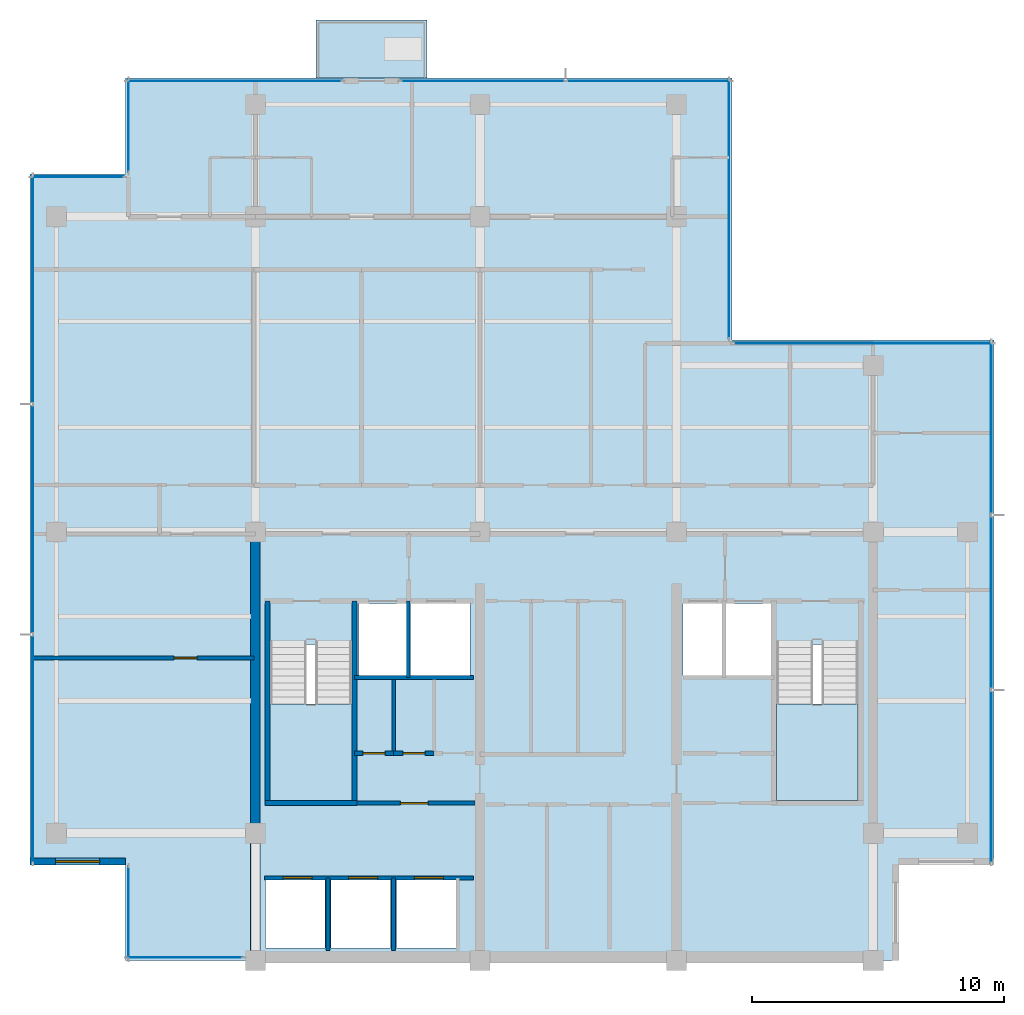
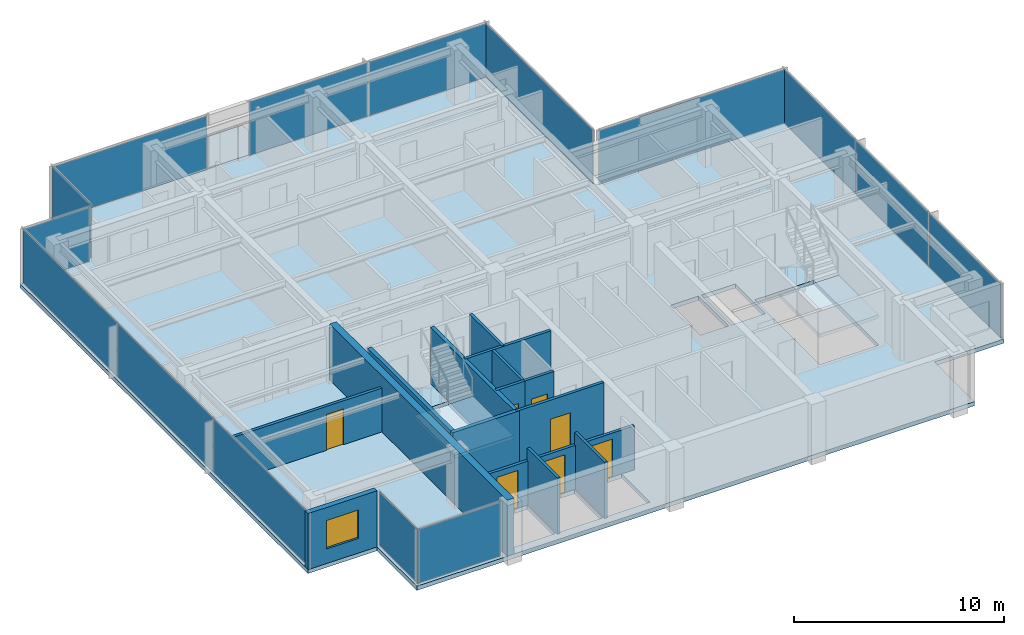
# One storey, part 5 of 11: 15 plates, 15 walls, 7 doors, 4 slabs, 1 window, 8 openings, 12 elements without a shape of their own.
"""IFC4 building model written with IfcOpenShell, lengths in metres."""

from ifc_helpers import new_model, si_unit, direction, frame, frame_2d, origin, origin_2d, place, context, subcontext, project, spatial, polyline, rectangle, outline, extrude, material, layer, layer_set, type_object, element, fill, aggregate, save


model = new_model("IFC4")

# Units and contexts
model_context = context("Model", 3, precision=1e-05, world=origin(), true_north=direction((0.0, 1.0)))
body_context = subcontext(model_context, "Body", "Model", "MODEL_VIEW")
ifc_project = project(units=[si_unit("LENGTHUNIT", "METRE"), si_unit("AREAUNIT", "SQUARE_METRE"), si_unit("VOLUMEUNIT", "CUBIC_METRE"), si_unit("PLANEANGLEUNIT", "RADIAN"), si_unit("MASSUNIT", "GRAM", prefix="KILO")], contexts=[model_context])

# Site, building, storey
site_placement = place(None, origin())
site = spatial("IfcSite", under=ifc_project, at=site_placement, CompositionType="ELEMENT")
building_placement = place(site_placement, origin())
building = spatial("IfcBuilding", under=site, at=building_placement, Name="Qalmaran Belvedere Hotel", CompositionType="ELEMENT")
storey_placement = place(building_placement, frame((0.0, 0.0, 256.39990234375)))
storey = spatial("IfcBuildingStorey", under=building, at=storey_placement, Name="L66", CompositionType="ELEMENT", Elevation=256.39990234375)

# Curtain wall, plate
ifc_material_1 = material(Name="Anodised Bronze Aluminium", Category="aluminium")
ifc_layer_1 = layer(ifc_material_1, 0.18505859375, Name="Anodised Bronze Aluminium")
ifc_layer_set_1 = layer_set([ifc_layer_1], Name="Anodised Bronze Aluminium")
curtain_wall_type = type_object("IfcCurtainWallType", Name="CW6-TOWER-SKY", PredefinedType="NOTDEFINED", material=ifc_layer_set_1)
curtain_wall_1_placement = place(storey_placement, origin())
curtain_wall_1 = element("IfcCurtainWall", 1, at=curtain_wall_1_placement, inside=storey, type_object=curtain_wall_type, Name="L66 Curtain Wall CW6", PredefinedType="NOTDEFINED")
ifc_material_2 = material(Name="Solar-Control Double Glazing", Category="glass")
ifc_layer_2 = layer(ifc_material_2, 0.028076171875, Name="Solar-Control Double Glazing")
ifc_layer_set_2 = layer_set([ifc_layer_2], Name="Solar-Control Double Glazing")
plate_type = type_object("IfcPlateType", Name="CWP-VISION-28", PredefinedType="CURTAIN_PANEL", material=ifc_layer_set_2)
plate_1_placement = place(storey_placement, frame((17.5048828125, 3.6201171875, 0.065185546875), z_axis=(0.0, 0.0, 1.0), x_axis=(1.0, 0.0, 0.0)))
plate_1 = element("IfcPlate", 2, at=plate_1_placement, type_object=plate_type, Name="CW6 panel 1.1", PredefinedType="CURTAIN_PANEL", context=body_context, shape_type="SweptSolid", body=[
    extrude(rectangle(XDim=4.580078125, YDim=0.028076171875, at=origin_2d()), origin(), (0.0, 0.0, 1.0), 3.1298828125),
])
aggregate(curtain_wall_1, [plate_1])

# Curtain wall, plates
curtain_wall_2_placement = place(storey_placement, origin())
curtain_wall_2 = element("IfcCurtainWall", 3, at=curtain_wall_2_placement, inside=storey, type_object=curtain_wall_type, Name="L66 Curtain Wall CW6", PredefinedType="NOTDEFINED")
plate_2_placement = place(storey_placement, frame((49.47998046875, 10.782958984375, 0.065185546875), z_axis=(0.0, 0.0, 1.0), x_axis=(0.0, 1.0, 0.0)))
plate_2 = element("IfcPlate", 4, at=plate_2_placement, type_object=plate_type, Name="CW6 panel 1.1", PredefinedType="CURTAIN_PANEL", context=body_context, shape_type="SweptSolid", body=[
    extrude(rectangle(XDim=6.8359375, YDim=0.028076171875, at=origin_2d()), origin(), (0.0, 0.0, 1.0), 3.1298828125),
])
plate_3_placement = place(storey_placement, frame((49.47998046875, 17.699951171875, 0.065185546875), z_axis=(0.0, 0.0, 1.0), x_axis=(0.0, 1.0, 0.0)))
plate_3 = element("IfcPlate", 5, at=plate_3_placement, type_object=plate_type, Name="CW6 panel 2.1", PredefinedType="CURTAIN_PANEL", context=body_context, shape_type="SweptSolid", body=[
    extrude(rectangle(XDim=6.868408203125, YDim=0.028076171875, at=origin_2d()), origin(), (0.0, 0.0, 1.0), 3.1298828125),
])
plate_4_placement = place(storey_placement, frame((49.47998046875, 24.6171875, 0.065185546875), z_axis=(0.0, 0.0, 1.0), x_axis=(0.0, 1.0, 0.0)))
plate_4 = element("IfcPlate", 6, at=plate_4_placement, type_object=plate_type, Name="CW6 panel 3.1", PredefinedType="CURTAIN_PANEL", context=body_context, shape_type="SweptSolid", body=[
    extrude(rectangle(XDim=6.8359375, YDim=0.028076171875, at=origin_2d()), origin(), (0.0, 0.0, 1.0), 3.1298828125),
])
aggregate(curtain_wall_2, [plate_2, plate_3, plate_4])

# Curtain wall, plate
curtain_wall_3_placement = place(storey_placement, origin())
curtain_wall_3 = element("IfcCurtainWall", 7, at=curtain_wall_3_placement, inside=storey, type_object=curtain_wall_type, Name="L66 Curtain Wall CW6", PredefinedType="NOTDEFINED")
plate_5_placement = place(storey_placement, frame((44.39990234375, 27.97998046875, 0.065185546875), z_axis=(0.0, 0.0, 1.0), x_axis=(-1.0, 0.0, 0.0)))
plate_5 = element("IfcPlate", 8, at=plate_5_placement, type_object=plate_type, Name="CW6 panel 1.1", PredefinedType="CURTAIN_PANEL", context=body_context, shape_type="SweptSolid", body=[
    extrude(rectangle(XDim=10.27001953125, YDim=0.028076171875, at=origin_2d()), origin(), (0.0, 0.0, 1.0), 3.1298828125),
])
aggregate(curtain_wall_3, [plate_5])

curtain_wall_4_placement = place(storey_placement, origin())
curtain_wall_4 = element("IfcCurtainWall", 9, at=curtain_wall_4_placement, inside=storey, type_object=curtain_wall_type, Name="L66 Curtain Wall CW6", PredefinedType="NOTDEFINED")
plate_6_placement = place(storey_placement, frame((39.080078125, 33.300048828125, 0.065185546875), z_axis=(0.0, 0.0, 1.0), x_axis=(0.0, 1.0, 0.0)))
plate_6 = element("IfcPlate", 10, at=plate_6_placement, type_object=plate_type, Name="CW6 panel 1.1", PredefinedType="CURTAIN_PANEL", context=body_context, shape_type="SweptSolid", body=[
    extrude(rectangle(XDim=10.27001953125, YDim=0.028076171875, at=origin_2d()), origin(), (0.0, 0.0, 1.0), 3.1298828125),
])
aggregate(curtain_wall_4, [plate_6])

curtain_wall_5_placement = place(storey_placement, origin())
curtain_wall_5 = element("IfcCurtainWall", 11, at=curtain_wall_5_placement, inside=storey, type_object=curtain_wall_type, Name="L66 Curtain Wall CW6", PredefinedType="NOTDEFINED")
plate_7_placement = place(storey_placement, frame((19.47509765625, 38.3798828125, 0.065185546875), z_axis=(0.0, 0.0, 1.0), x_axis=(-1.0, 0.0, 0.0)))
plate_7 = element("IfcPlate", 12, at=plate_7_placement, type_object=plate_type, Name="CW6 panel 1.1", PredefinedType="CURTAIN_PANEL", context=body_context, shape_type="SweptSolid", body=[
    extrude(rectangle(XDim=8.52001953125, YDim=0.028076171875, at=origin_2d()), origin(), (0.0, 0.0, 1.0), 3.1298828125),
])
aggregate(curtain_wall_5, [plate_7])

# Curtain wall, plates
curtain_wall_6_placement = place(storey_placement, origin())
curtain_wall_6 = element("IfcCurtainWall", 13, at=curtain_wall_6_placement, inside=storey, type_object=curtain_wall_type, Name="L66 Curtain Wall CW6", PredefinedType="NOTDEFINED")
plate_8_placement = place(storey_placement, frame((35.8837890625, 38.3798828125, 0.065185546875), z_axis=(0.0, 0.0, 1.0), x_axis=(-1.0, 0.0, 0.0)))
plate_8 = element("IfcPlate", 14, at=plate_8_placement, type_object=plate_type, Name="CW6 panel 1.1", PredefinedType="CURTAIN_PANEL", context=body_context, shape_type="SweptSolid", body=[
    extrude(rectangle(XDim=6.50244140625, YDim=0.028076171875, at=origin_2d()), origin(), (0.0, 0.0, 1.0), 3.1298828125),
])
plate_9_placement = place(storey_placement, frame((29.316162109375, 38.3798828125, 0.065185546875), z_axis=(0.0, 0.0, 1.0), x_axis=(-1.0, 0.0, 0.0)))
plate_9 = element("IfcPlate", 15, at=plate_9_placement, type_object=plate_type, Name="CW6 panel 2.1", PredefinedType="CURTAIN_PANEL", context=body_context, shape_type="SweptSolid", body=[
    extrude(rectangle(XDim=6.50244140625, YDim=0.028076171875, at=origin_2d()), origin(), (0.0, 0.0, 1.0), 3.1298828125),
])
aggregate(curtain_wall_6, [plate_8, plate_9])

# Curtain wall, plate
curtain_wall_7_placement = place(storey_placement, origin())
curtain_wall_7 = element("IfcCurtainWall", 16, at=curtain_wall_7_placement, inside=storey, type_object=curtain_wall_type, Name="L66 Curtain Wall CW6", PredefinedType="NOTDEFINED")
plate_10_placement = place(storey_placement, frame((15.27001953125, 36.60009765625, 0.065185546875), z_axis=(0.0, 0.0, 1.0), x_axis=(0.0, -1.0, 0.0)))
plate_10 = element("IfcPlate", 17, at=plate_10_placement, type_object=plate_type, Name="CW6 panel 1.1", PredefinedType="CURTAIN_PANEL", context=body_context, shape_type="SweptSolid", body=[
    extrude(rectangle(XDim=3.669921875, YDim=0.028076171875, at=origin_2d()), origin(), (0.0, 0.0, 1.0), 3.1298828125),
])
aggregate(curtain_wall_7, [plate_10])

curtain_wall_8_placement = place(storey_placement, origin())
curtain_wall_8 = element("IfcCurtainWall", 18, at=curtain_wall_8_placement, inside=storey, type_object=curtain_wall_type, Name="L66 Curtain Wall CW6", PredefinedType="NOTDEFINED")
plate_11_placement = place(storey_placement, frame((13.25, 34.580078125, 0.065185546875), z_axis=(0.0, 0.0, 1.0), x_axis=(-1.0, 0.0, 0.0)))
plate_11 = element("IfcPlate", 19, at=plate_11_placement, type_object=plate_type, Name="CW6 panel 1.1", PredefinedType="CURTAIN_PANEL", context=body_context, shape_type="SweptSolid", body=[
    extrude(rectangle(XDim=3.669921875, YDim=0.028076171875, at=origin_2d()), origin(), (0.0, 0.0, 1.0), 3.1298828125),
])
aggregate(curtain_wall_8, [plate_11])

# Curtain wall, plates
curtain_wall_9_placement = place(storey_placement, origin())
curtain_wall_9 = element("IfcCurtainWall", 20, at=curtain_wall_9_placement, inside=storey, type_object=curtain_wall_type, Name="L66 Curtain Wall CW6", PredefinedType="NOTDEFINED")
plate_12_placement = place(storey_placement, frame((11.469970703125, 30.1171875, 0.065185546875), z_axis=(0.0, 0.0, 1.0), x_axis=(0.0, -1.0, 0.0)))
plate_12 = element("IfcPlate", 21, at=plate_12_placement, type_object=plate_type, Name="CW6 panel 1.1", PredefinedType="CURTAIN_PANEL", context=body_context, shape_type="SweptSolid", body=[
    extrude(rectangle(XDim=9.035888671875, YDim=0.028076171875, at=origin_2d()), origin(), (0.0, 0.0, 1.0), 3.1298828125),
])
plate_13_placement = place(storey_placement, frame((11.469970703125, 21.0, 0.065185546875), z_axis=(0.0, 0.0, 1.0), x_axis=(0.0, -1.0, 0.0)))
plate_13 = element("IfcPlate", 22, at=plate_13_placement, type_object=plate_type, Name="CW6 panel 2.1", PredefinedType="CURTAIN_PANEL", context=body_context, shape_type="SweptSolid", body=[
    extrude(rectangle(XDim=9.068359375, YDim=0.028076171875, at=origin_2d()), origin(), (0.0, 0.0, 1.0), 3.1298828125),
])
plate_14_placement = place(storey_placement, frame((11.469970703125, 11.8828125, 0.065185546875), z_axis=(0.0, 0.0, 1.0), x_axis=(0.0, -1.0, 0.0)))
plate_14 = element("IfcPlate", 23, at=plate_14_placement, type_object=plate_type, Name="CW6 panel 3.1", PredefinedType="CURTAIN_PANEL", context=body_context, shape_type="SweptSolid", body=[
    extrude(rectangle(XDim=9.035888671875, YDim=0.028076171875, at=origin_2d()), origin(), (0.0, 0.0, 1.0), 3.1298828125),
])
aggregate(curtain_wall_9, [plate_12, plate_13, plate_14])

# Curtain wall, plate
curtain_wall_10_placement = place(storey_placement, origin())
curtain_wall_10 = element("IfcCurtainWall", 24, at=curtain_wall_10_placement, inside=storey, type_object=curtain_wall_type, Name="L66 Curtain Wall CW6", PredefinedType="NOTDEFINED")
plate_15_placement = place(storey_placement, frame((15.27001953125, 5.39990234375, 0.065185546875), z_axis=(0.0, 0.0, 1.0), x_axis=(0.0, -1.0, 0.0)))
plate_15 = element("IfcPlate", 25, at=plate_15_placement, type_object=plate_type, Name="CW6 panel 1.1", PredefinedType="CURTAIN_PANEL", context=body_context, shape_type="SweptSolid", body=[
    extrude(rectangle(XDim=3.669921875, YDim=0.028076171875, at=origin_2d()), origin(), (0.0, 0.0, 1.0), 3.1298828125),
])
aggregate(curtain_wall_10, [plate_15])

# Slab
ifc_material_3 = material(Name="Concrete C40/50", Category="concrete")
ifc_layer_3 = layer(ifc_material_3, 0.219970703125, Name="Concrete C40/50")
ifc_layer_set_3 = layer_set([ifc_layer_3], Name="Concrete C40/50")
slab_type_1 = type_object("IfcSlabType", Name="SLB-BAL-220", PredefinedType="USERDEFINED", material=ifc_layer_set_3)
slab_1_placement = place(storey_placement, frame((0.0, 0.0, -0.219970703125)))
element("IfcSlab", 26, at=slab_1_placement, inside=storey, type_object=slab_type_1, Name="L66 Planted Tree Balcony Slab 1", ObjectType="BALCONY", PredefinedType="USERDEFINED", context=body_context, shape_type="SweptSolid", body=[
    extrude(outline(polyline([(22.699951171875, 38.5), (27.10009765625, 38.5), (27.10009765625, 40.800048828125), (22.699951171875, 40.800048828125), (22.699951171875, 38.5)])), origin(), (0.0, 0.0, 1.0), 0.219970703125),
])

# Stair, slab
stair_type_1 = type_object("IfcStairType", Name="STR-ST-1-1450-R1750", PredefinedType="HALF_TURN_STAIR", material=ifc_material_3)
stair_1_placement = place(storey_placement, origin())
stair_1 = element("IfcStair", 27, at=stair_1_placement, inside=storey, type_object=stair_type_1, Name="L66 West Core Exit Stair ST-1", PredefinedType="HALF_TURN_STAIR")
ifc_layer_4 = layer(ifc_material_3, 0.199951171875, Name="Concrete C40/50")
ifc_layer_set_4 = layer_set([ifc_layer_4], Name="Concrete C40/50")
slab_type_2 = type_object("IfcSlabType", Name="SLB-STAIR-LANDING-200", PredefinedType="LANDING", material=ifc_layer_set_4)
slab_2_placement = place(storey_placement, frame((0.0, 0.0, 1.550048828125)))
slab_2 = element("IfcSlab", 28, at=slab_2_placement, type_object=slab_type_2, Name="ST-1 landing 1", PredefinedType="LANDING", context=body_context, shape_type="SweptSolid", body=[
    extrude(outline(polyline([(20.8798828125, 13.669921875), (20.8798828125, 9.85009765625), (24.1201171875, 9.85009765625), (24.1201171875, 13.669921875), (20.8798828125, 13.669921875)])), origin(), (0.0, 0.0, 1.0), 0.199951171875),
])
aggregate(stair_1, [slab_2])

stair_type_2 = type_object("IfcStairType", Name="STR-ST-2-1450-R1750", PredefinedType="HALF_TURN_STAIR", material=ifc_material_3)
stair_2_placement = place(storey_placement, origin())
stair_2 = element("IfcStair", 29, at=stair_2_placement, inside=storey, type_object=stair_type_2, Name="L66 East Core Exit Stair ST-2", PredefinedType="HALF_TURN_STAIR")
slab_3_placement = place(storey_placement, frame((0.0, 0.0, 1.550048828125)))
slab_3 = element("IfcSlab", 30, at=slab_3_placement, type_object=slab_type_2, Name="ST-2 landing 1", PredefinedType="LANDING", context=body_context, shape_type="SweptSolid", body=[
    extrude(outline(polyline([(40.9599609375, 13.669921875), (40.9599609375, 9.85009765625), (44.199951171875, 9.85009765625), (44.199951171875, 13.669921875), (40.9599609375, 13.669921875)])), origin(), (0.0, 0.0, 1.0), 0.199951171875),
])
aggregate(stair_2, [slab_3])

# Slab
ifc_layer_5 = layer(ifc_material_3, 0.239990234375, Name="Concrete C40/50")
ifc_layer_set_5 = layer_set([ifc_layer_5], Name="Concrete C40/50")
slab_type_3 = type_object("IfcSlabType", Name="SLB-Z4-240", PredefinedType="FLOOR", material=ifc_layer_set_5)
slab_4_placement = place(storey_placement, frame((0.0, 0.0, -0.239990234375)))
element("IfcSlab", 31, at=slab_4_placement, inside=storey, type_object=slab_type_3, Name="L66 Structural Floor Slab", PredefinedType="FLOOR", context=body_context, shape_type="SweptSolid", body=[
    extrude(outline(polyline([(15.14990234375, 3.5), (45.800048828125, 3.5), (45.800048828125, 7.300048828125), (49.60009765625, 7.300048828125), (49.60009765625, 28.10009765625), (39.199951171875, 28.10009765625), (39.199951171875, 38.5), (15.14990234375, 38.5), (15.14990234375, 34.699951171875), (11.35009765625, 34.699951171875), (11.35009765625, 7.300048828125), (15.14990234375, 7.300048828125), (15.14990234375, 3.5)]), holes=[polyline([(20.8798828125, 9.85009765625), (24.1201171875, 9.85009765625), (24.1201171875, 16.0400390625), (20.8798828125, 16.0400390625), (20.8798828125, 9.85009765625)]), polyline([(40.9599609375, 9.85009765625), (44.199951171875, 9.85009765625), (44.199951171875, 16.0400390625), (40.9599609375, 16.0400390625), (40.9599609375, 9.85009765625)]), polyline([(20.699951171875, 4.0), (23.050048828125, 4.0), (23.050048828125, 6.699951171875), (20.699951171875, 6.699951171875), (20.699951171875, 4.0)]), polyline([(23.300048828125, 4.0), (25.64990234375, 4.0), (25.64990234375, 6.699951171875), (23.300048828125, 6.699951171875), (23.300048828125, 4.0)]), polyline([(25.89990234375, 4.0), (28.25, 4.0), (28.25, 6.699951171875), (25.89990234375, 6.699951171875), (25.89990234375, 4.0)]), polyline([(24.39990234375, 14.800048828125), (26.300048828125, 14.800048828125), (26.300048828125, 17.64990234375), (24.39990234375, 17.64990234375), (24.39990234375, 14.800048828125)]), polyline([(38.949951171875, 14.800048828125), (40.820068359375, 14.800048828125), (40.820068359375, 17.64990234375), (38.949951171875, 17.64990234375), (38.949951171875, 14.800048828125)]), polyline([(26.449951171875, 14.800048828125), (28.800048828125, 14.800048828125), (28.800048828125, 17.64990234375), (26.449951171875, 17.64990234375), (26.449951171875, 14.800048828125)]), polyline([(37.25, 14.800048828125), (38.800048828125, 14.800048828125), (38.800048828125, 17.64990234375), (37.25, 17.64990234375), (37.25, 14.800048828125)])]), origin(), (0.0, 0.0, 1.0), 0.239990234375),
])

# Wall
ifc_material_4 = material(Name="Concrete C50/60", Category="concrete")
ifc_layer_6 = layer(ifc_material_4, 0.3798828125, Name="Concrete C50/60")
ifc_layer_set_6 = layer_set([ifc_layer_6], Name="Concrete C50/60")
wall_type_1 = type_object("IfcWallType", Name="WL-CORE-380-C50", PredefinedType="SHEAR", material=ifc_layer_set_6)
wall_1_placement = place(storey_placement, frame((20.300048828125, 3.5, 0.0), z_axis=(0.0, 0.0, 1.0), x_axis=(0.0, 1.0, 0.0)))
element("IfcWall", 32, at=wall_1_placement, inside=storey, type_object=wall_type_1, Name="L66 West Core Shear Wall", PredefinedType="SHEAR", context=body_context, shape_type="SweptSolid", body=[
    extrude(rectangle(XDim=16.89990234375, YDim=0.3798828125, at=frame_2d((8.449951171875, 0.0))), origin(), (0.0, 0.0, 1.0), 3.260009765625),
])

# Wall, opening, window
ifc_material_5 = material(Name="Anodised Bronze Cladding")
ifc_layer_7 = layer(ifc_material_5, 0.280029296875, Name="Anodised Bronze Cladding")
ifc_layer_set_7 = layer_set([ifc_layer_7], Name="Anodised Bronze Cladding")
wall_type_2 = type_object("IfcWallType", Name="WL-EXT-BRNZ-280", PredefinedType="SOLIDWALL", material=ifc_layer_set_7)
wall_2_placement = place(storey_placement, frame((11.35009765625, 7.419921875, 0.0), z_axis=(0.0, 0.0, 1.0), x_axis=(1.0, 0.0, 0.0)))
wall_2 = element("IfcWall", 33, at=wall_2_placement, inside=storey, type_object=wall_type_2, Name="L66 Corner Notch Wall 10", PredefinedType="SOLIDWALL", context=body_context, shape_type="SweptSolid", body=[
    extrude(rectangle(XDim=3.7998046875, YDim=0.280029296875, at=frame_2d((1.89990234375, 0.0))), origin(), (0.0, 0.0, 1.0), 3.260009765625),
])
opening_1_placement = place(wall_2_placement, frame((1.02490234375, 0.0, 0.85009765625)))
opening_1 = element("IfcOpeningElement", 34, at=opening_1_placement, cuts=wall_2, Name="Opening W-N17", PredefinedType="OPENING", context=body_context, shape_type="SweptSolid", body=[
    extrude(rectangle(XDim=1.75, YDim=1.64990234375, at=frame_2d((0.875, 0.824951171875))), frame((0.0, 0.14990234375, 0.0), z_axis=(0.0, -1.0, 0.0), x_axis=(1.0, 0.0, 0.0)), (0.0, 0.0, 1.0), 0.300048828125),
])
window_type = type_object("IfcWindowType", Name="WN-NTC-1750X1650", PartitioningType="SINGLE_PANEL", PredefinedType="WINDOW", material=ifc_material_2)
window_placement = place(opening_1_placement, origin())
window = element("IfcWindow", 35, at=window_placement, inside=storey, type_object=window_type, Name="L66 Corner Notch Window 10", OverallHeight=1.64990234375, OverallWidth=1.75, PartitioningType="SINGLE_PANEL", PredefinedType="WINDOW", context=body_context, shape_type="SweptSolid", body=[
    extrude(rectangle(XDim=1.75, YDim=1.64990234375, at=frame_2d((0.875, 0.824951171875))), frame((0.0, 0.030029296875, 0.0), z_axis=(0.0, -1.0, 0.0), x_axis=(1.0, 0.0, 0.0)), (0.0, 0.0, 1.0), 0.06005859375),
])
fill(opening_1, window)

# Walls
ifc_material_6 = material(Name="Gypsum Stud Partition")
ifc_layer_8 = layer(ifc_material_6, 0.14990234375, Name="Gypsum Stud Partition")
ifc_layer_set_8 = layer_set([ifc_layer_8], Name="Gypsum Stud Partition")
wall_type_3 = type_object("IfcWallType", Name="WL-INT-150-EI120", PredefinedType="PARTITIONING", material=ifc_layer_set_8)
wall_3_placement = place(storey_placement, frame((26.360107421875, 14.719970703125, 0.0), z_axis=(0.0, 0.0, 1.0), x_axis=(0.0, 1.0, 0.0)))
element("IfcWall", 36, at=wall_3_placement, inside=storey, type_object=wall_type_3, Name="L66 Partition WL-FF1M-L66", PredefinedType="PARTITIONING", context=body_context, shape_type="SweptSolid", body=[
    extrude(rectangle(XDim=3.0400390625, YDim=0.14990234375, at=frame_2d((1.52001953125, 0.0))), origin(), (0.0, 0.0, 1.0), 3.260009765625),
])
for number, where, z_axis, x_axis, name in (
    (37, (23.179931640625, 3.89990234375, 0.0), (0.0, 0.0, 1.0), (0.0, 1.0, 0.0), "L66 Partition WL-POM1-L66"),
    (38, (25.780029296875, 3.89990234375, 0.0), (0.0, 0.0, 1.0), (0.0, 1.0, 0.0), "L66 Partition WL-POM2-L66"),
):
    element("IfcWall", number, at=place(storey_placement, frame(where, z_axis=z_axis, x_axis=x_axis)), inside=storey, type_object=wall_type_3, Name=name, PredefinedType="PARTITIONING", context=body_context, shape_type="SweptSolid", body=[
        extrude(rectangle(XDim=2.880126953125, YDim=0.14990234375, at=frame_2d((1.43994140625, 0.0))), origin(), (0.0, 0.0, 1.0), 3.260009765625),
    ])
ifc_layer_9 = layer(ifc_material_6, 0.14990234375, Name="Gypsum Stud Partition")
ifc_layer_set_9 = layer_set([ifc_layer_9], Name="Gypsum Stud Partition")
wall_type_4 = type_object("IfcWallType", Name="WL-INT-150-EI60", PredefinedType="PARTITIONING", material=ifc_layer_set_9)
wall_4_placement = place(storey_placement, frame((25.781005859375, 11.719970703125, 0.0), z_axis=(0.0, 0.0, 1.0), x_axis=(0.0, 1.0, 0.0)))
element("IfcWall", 39, at=wall_4_placement, inside=storey, type_object=wall_type_4, Name="L66 Partition WL-L66-KWV1", PredefinedType="PARTITIONING", context=body_context, shape_type="SweptSolid", body=[
    extrude(rectangle(XDim=2.929931640625, YDim=0.14990234375, at=frame_2d((1.46484375, 0.0))), origin(), (0.0, 0.0, 1.0), 3.260009765625),
])
ifc_layer_10 = layer(ifc_material_6, 0.159912109375, Name="Gypsum Stud Partition")
ifc_layer_set_10 = layer_set([ifc_layer_10], Name="Gypsum Stud Partition")
wall_type_5 = type_object("IfcWallType", Name="WL-INT-160-EI120", PredefinedType="PARTITIONING", material=ifc_layer_set_10)
wall_5_placement = place(storey_placement, frame((24.219970703125, 14.719970703125, 0.0), z_axis=(0.0, 0.0, 1.0), x_axis=(1.0, 0.0, 0.0)))
element("IfcWall", 40, at=wall_5_placement, inside=storey, type_object=wall_type_5, Name="L66 Partition WL-FF1S-L66", PredefinedType="PARTITIONING", context=body_context, shape_type="SweptSolid", body=[
    extrude(rectangle(XDim=4.72998046875, YDim=0.159912109375, at=frame_2d((2.364990234375, 0.0))), origin(), (0.0, 0.0, 1.0), 3.260009765625),
])

# Wall, openings, doors
wall_6_placement = place(storey_placement, frame((20.64990234375, 6.780029296875, 0.0), z_axis=(0.0, 0.0, 1.0), x_axis=(1.0, 0.0, 0.0)))
wall_6 = element("IfcWall", 41, at=wall_6_placement, inside=storey, type_object=wall_type_5, Name="L66 Partition WL-POS-L66", PredefinedType="PARTITIONING", context=body_context, shape_type="SweptSolid", body=[
    extrude(rectangle(XDim=8.300048828125, YDim=0.159912109375, at=frame_2d((4.14990234375, 0.0))), origin(), (0.0, 0.0, 1.0), 2.550048828125),
])
opening_2_placement = place(wall_6_placement, frame((0.75, 0.0, 0.0)))
opening_2 = element("IfcOpeningElement", 42, at=opening_2_placement, cuts=wall_6, Name="Opening LD-PO", PredefinedType="OPENING", context=body_context, shape_type="SweptSolid", body=[
    extrude(rectangle(XDim=1.14990234375, YDim=2.199951171875, at=frame_2d((0.574951171875, 1.10009765625))), frame((0.0, 0.08984375, 0.0), z_axis=(0.0, -1.0, 0.0), x_axis=(1.0, 0.0, 0.0)), (0.0, 0.0, 1.0), 0.179931640625),
])
opening_3_placement = place(wall_6_placement, frame((3.35009765625, 0.0, 0.0)))
opening_3 = element("IfcOpeningElement", 43, at=opening_3_placement, cuts=wall_6, Name="Opening LD-PO", PredefinedType="OPENING", context=body_context, shape_type="SweptSolid", body=[
    extrude(rectangle(XDim=1.14990234375, YDim=2.199951171875, at=frame_2d((0.574951171875, 1.10009765625))), frame((0.0, 0.08984375, 0.0), z_axis=(0.0, -1.0, 0.0), x_axis=(1.0, 0.0, 0.0)), (0.0, 0.0, 1.0), 0.179931640625),
])
opening_4_placement = place(wall_6_placement, frame((5.949951171875, 0.0, 0.0)))
opening_4 = element("IfcOpeningElement", 44, at=opening_4_placement, cuts=wall_6, Name="Opening LD-PO", PredefinedType="OPENING", context=body_context, shape_type="SweptSolid", body=[
    extrude(rectangle(XDim=1.14990234375, YDim=2.199951171875, at=frame_2d((0.574951171875, 1.10009765625))), frame((0.0, 0.08984375, 0.0), z_axis=(0.0, -1.0, 0.0), x_axis=(1.0, 0.0, 0.0)), (0.0, 0.0, 1.0), 0.179931640625),
])
door_type_1 = type_object("IfcDoorType", Name="DR-LIFT-PO-1150X2200", OperationType="DOUBLE_DOOR_SLIDING", PredefinedType="DOOR", material=ifc_material_1)
door_1_placement = place(opening_2_placement, origin())
door_1 = element("IfcDoor", 45, at=door_1_placement, inside=storey, type_object=door_type_1, Name="L66 PO1 Shuttle Landing Door", OperationType="DOUBLE_DOOR_SLIDING", OverallHeight=2.199951171875, OverallWidth=1.14990234375, PredefinedType="DOOR", context=body_context, shape_type="SweptSolid", body=[
    extrude(rectangle(XDim=1.14990234375, YDim=2.199951171875, at=frame_2d((0.574951171875, 1.10009765625))), frame((0.0, 0.02490234375, 0.0), z_axis=(0.0, -1.0, 0.0), x_axis=(1.0, 0.0, 0.0)), (0.0, 0.0, 1.0), 0.050048828125),
])
fill(opening_2, door_1)
door_2_placement = place(opening_3_placement, origin())
door_2 = element("IfcDoor", 46, at=door_2_placement, inside=storey, type_object=door_type_1, Name="L66 PO2 Shuttle Landing Door", OperationType="DOUBLE_DOOR_SLIDING", OverallHeight=2.199951171875, OverallWidth=1.14990234375, PredefinedType="DOOR", context=body_context, shape_type="SweptSolid", body=[
    extrude(rectangle(XDim=1.14990234375, YDim=2.199951171875, at=frame_2d((0.574951171875, 1.10009765625))), frame((0.0, 0.02490234375, 0.0), z_axis=(0.0, -1.0, 0.0), x_axis=(1.0, 0.0, 0.0)), (0.0, 0.0, 1.0), 0.050048828125),
])
fill(opening_3, door_2)
door_3_placement = place(opening_4_placement, origin())
door_3 = element("IfcDoor", 47, at=door_3_placement, inside=storey, type_object=door_type_1, Name="L66 PO3 Shuttle Landing Door", OperationType="DOUBLE_DOOR_SLIDING", OverallHeight=2.199951171875, OverallWidth=1.14990234375, PredefinedType="DOOR", context=body_context, shape_type="SweptSolid", body=[
    extrude(rectangle(XDim=1.14990234375, YDim=2.199951171875, at=frame_2d((0.574951171875, 1.10009765625))), frame((0.0, 0.02490234375, 0.0), z_axis=(0.0, -1.0, 0.0), x_axis=(1.0, 0.0, 0.0)), (0.0, 0.0, 1.0), 0.050048828125),
])
fill(opening_4, door_3)

# Wall, opening, door
wall_7_placement = place(storey_placement, frame((24.199951171875, 9.739990234375, 0.0), z_axis=(0.0, 0.0, 1.0), x_axis=(1.0, 0.0, 0.0)))
wall_7 = element("IfcWall", 48, at=wall_7_placement, inside=storey, type_object=wall_type_5, Name="L66 Partition WL-PON-L66", PredefinedType="PARTITIONING", context=body_context, shape_type="SweptSolid", body=[
    extrude(rectangle(XDim=4.800048828125, YDim=0.159912109375, at=frame_2d((2.39990234375, 0.0))), origin(), (0.0, 0.0, 1.0), 3.260009765625),
])
opening_5_placement = place(wall_7_placement, frame((1.85009765625, 0.0, 0.0)))
opening_5 = element("IfcOpeningElement", 49, at=opening_5_placement, cuts=wall_7, Name="Opening FD90", PredefinedType="OPENING", context=body_context, shape_type="SweptSolid", body=[
    extrude(rectangle(XDim=1.10009765625, YDim=2.14990234375, at=frame_2d((0.550048828125, 1.074951171875))), frame((0.0, 0.08984375, 0.0), z_axis=(0.0, -1.0, 0.0), x_axis=(1.0, 0.0, 0.0)), (0.0, 0.0, 1.0), 0.179931640625),
])
ifc_material_7 = material(Name="Steel S355JR", Category="steel")
door_type_2 = type_object("IfcDoorType", Name="DR-FD90-1100X2150", OperationType="NOTDEFINED", PredefinedType="DOOR", material=ifc_material_7)
door_4_placement = place(opening_5_placement, origin())
door_4 = element("IfcDoor", 50, at=door_4_placement, inside=storey, type_object=door_type_2, Name="L66 Shuttle Lobby Passage Door", OperationType="SINGLE_SWING_LEFT", OverallHeight=2.14990234375, OverallWidth=1.10009765625, PredefinedType="DOOR", context=body_context, shape_type="SweptSolid", body=[
    extrude(rectangle(XDim=1.10009765625, YDim=2.14990234375, at=frame_2d((0.550048828125, 1.074951171875))), frame((0.0, 0.02490234375, 0.0), z_axis=(0.0, -1.0, 0.0), x_axis=(1.0, 0.0, 0.0)), (0.0, 0.0, 1.0), 0.050048828125),
])
fill(opening_5, door_4)

ifc_layer_11 = layer(ifc_material_6, 0.159912109375, Name="Gypsum Stud Partition")
ifc_layer_set_11 = layer_set([ifc_layer_11], Name="Gypsum Stud Partition")
wall_type_6 = type_object("IfcWallType", Name="WL-INT-160-EI60", PredefinedType="PARTITIONING", material=ifc_layer_set_11)
wall_8_placement = place(storey_placement, frame((24.219970703125, 11.719970703125, 0.0), z_axis=(0.0, 0.0, 1.0), x_axis=(1.0, 0.0, 0.0)))
wall_8 = element("IfcWall", 51, at=wall_8_placement, inside=storey, type_object=wall_type_6, Name="L66 Partition WL-L66-KWE1", PredefinedType="PARTITIONING", context=body_context, shape_type="SweptSolid", body=[
    extrude(rectangle(XDim=1.56103515625, YDim=0.159912109375, at=frame_2d((0.780517578125, 0.0))), origin(), (0.0, 0.0, 1.0), 3.260009765625),
])
opening_6_placement = place(wall_8_placement, frame((0.340576171875, 0.0, 0.0)))
opening_6 = element("IfcOpeningElement", 52, at=opening_6_placement, cuts=wall_8, Name="Opening FD60B", PredefinedType="OPENING", context=body_context, shape_type="SweptSolid", body=[
    extrude(rectangle(XDim=0.8798828125, YDim=2.080078125, at=frame_2d((0.43994140625, 1.0400390625))), frame((0.0, 0.08984375, 0.0), z_axis=(0.0, -1.0, 0.0), x_axis=(1.0, 0.0, 0.0)), (0.0, 0.0, 1.0), 0.179931640625),
])
door_type_3 = type_object("IfcDoorType", Name="DR-FD60B-880X2080", OperationType="NOTDEFINED", PredefinedType="DOOR", material=ifc_material_7)
door_5_placement = place(opening_6_placement, origin())
door_5 = element("IfcDoor", 53, at=door_5_placement, inside=storey, type_object=door_type_3, Name="L66 Staff Core WC Door", OperationType="SINGLE_SWING_LEFT", OverallHeight=2.080078125, OverallWidth=0.8798828125, PredefinedType="DOOR", context=body_context, shape_type="SweptSolid", body=[
    extrude(rectangle(XDim=0.8798828125, YDim=2.080078125, at=frame_2d((0.43994140625, 1.0400390625))), frame((0.0, 0.02490234375, 0.0), z_axis=(0.0, -1.0, 0.0), x_axis=(1.0, 0.0, 0.0)), (0.0, 0.0, 1.0), 0.050048828125),
])
fill(opening_6, door_5)

wall_9_placement = place(storey_placement, frame((25.781005859375, 11.719970703125, 0.0), z_axis=(0.0, 0.0, 1.0), x_axis=(1.0, 0.0, 0.0)))
wall_9 = element("IfcWall", 54, at=wall_9_placement, inside=storey, type_object=wall_type_6, Name="L66 Partition WL-L66-KWE2", PredefinedType="PARTITIONING", context=body_context, shape_type="SweptSolid", body=[
    extrude(rectangle(XDim=1.608154296875, YDim=0.159912109375, at=frame_2d((0.80419921875, 0.0))), origin(), (0.0, 0.0, 1.0), 3.260009765625),
])
opening_7_placement = place(wall_9_placement, frame((0.364013671875, 0.0, 0.0)))
opening_7 = element("IfcOpeningElement", 55, at=opening_7_placement, cuts=wall_9, Name="Opening FD60B", PredefinedType="OPENING", context=body_context, shape_type="SweptSolid", body=[
    extrude(rectangle(XDim=0.8798828125, YDim=2.080078125, at=frame_2d((0.43994140625, 1.0400390625))), frame((0.0, 0.08984375, 0.0), z_axis=(0.0, -1.0, 0.0), x_axis=(1.0, 0.0, 0.0)), (0.0, 0.0, 1.0), 0.179931640625),
])
door_6_placement = place(opening_7_placement, origin())
door_6 = element("IfcDoor", 56, at=door_6_placement, inside=storey, type_object=door_type_3, Name="L66 Electrical Distribution Room Door", OperationType="SINGLE_SWING_RIGHT", OverallHeight=2.080078125, OverallWidth=0.8798828125, PredefinedType="DOOR", context=body_context, shape_type="SweptSolid", body=[
    extrude(rectangle(XDim=0.8798828125, YDim=2.080078125, at=frame_2d((0.43994140625, 1.0400390625))), frame((0.0, 0.02490234375, 0.0), z_axis=(0.0, -1.0, 0.0), x_axis=(1.0, 0.0, 0.0)), (0.0, 0.0, 1.0), 0.050048828125),
])
fill(opening_7, door_6)

wall_10_placement = place(storey_placement, frame((11.469970703125, 15.5, 0.0), z_axis=(0.0, 0.0, 1.0), x_axis=(1.0, 0.0, 0.0)))
wall_10 = element("IfcWall", 57, at=wall_10_placement, inside=storey, type_object=wall_type_6, Name="L66 Partition WL-L66-C4WH1", PredefinedType="PARTITIONING", context=body_context, shape_type="SweptSolid", body=[
    extrude(rectangle(XDim=8.780029296875, YDim=0.159912109375, at=frame_2d((4.39013671875, 0.0))), origin(), (0.0, 0.0, 1.0), 2.550048828125),
])
opening_8_placement = place(wall_10_placement, frame((6.52001953125, 0.0, 0.0), z_axis=(0.0, 0.0, 1.0), x_axis=(-1.0, 0.0, 0.0)))
opening_8 = element("IfcOpeningElement", 58, at=opening_8_placement, cuts=wall_10, Name="Opening FD60S1", PredefinedType="OPENING", context=body_context, shape_type="SweptSolid", body=[
    extrude(rectangle(XDim=0.919921875, YDim=2.080078125, at=frame_2d((0.4599609375, 1.0400390625))), frame((0.0, 0.08984375, 0.0), z_axis=(0.0, -1.0, 0.0), x_axis=(1.0, 0.0, 0.0)), (0.0, 0.0, 1.0), 0.179931640625),
])
ifc_material_8 = material(Name="Engineered Oak Veneer")
door_type_4 = type_object("IfcDoorType", Name="DR-FD60S-920X2080", OperationType="NOTDEFINED", PredefinedType="DOOR", material=ifc_material_8)
door_7_placement = place(opening_8_placement, origin())
door_7 = element("IfcDoor", 59, at=door_7_placement, inside=storey, type_object=door_type_4, Name="L66 SW Panorama Inner Door", OperationType="SINGLE_SWING_LEFT", OverallHeight=2.080078125, OverallWidth=0.919921875, PredefinedType="DOOR", context=body_context, shape_type="SweptSolid", body=[
    extrude(rectangle(XDim=0.919921875, YDim=2.080078125, at=frame_2d((0.4599609375, 1.0400390625))), frame((0.0, 0.02490234375, 0.0), z_axis=(0.0, -1.0, 0.0), x_axis=(1.0, 0.0, 0.0)), (0.0, 0.0, 1.0), 0.050048828125),
])
fill(opening_8, door_7)

# Walls
ifc_layer_12 = layer(ifc_material_4, 0.2099609375, Name="Concrete C50/60")
ifc_layer_set_12 = layer_set([ifc_layer_12], Name="Concrete C50/60")
wall_type_7 = type_object("IfcWallType", Name="WL-STAIR-210-C50", PredefinedType="SHEAR", material=ifc_layer_set_12)
for number, where, z_axis, x_axis, name in (
    (60, (20.77490234375, 9.7451171875, 0.0), (0.0, 0.0, 1.0), (0.0, 1.0, 0.0), "L66 Stair ST-1 West Bearing Wall"),
    (61, (24.22509765625, 9.7451171875, 0.0), (0.0, 0.0, 1.0), (0.0, 1.0, 0.0), "L66 Stair ST-1 East Bearing Wall"),
):
    element("IfcWall", number, at=place(storey_placement, frame(where, z_axis=z_axis, x_axis=x_axis)), inside=storey, type_object=wall_type_7, Name=name, PredefinedType="SHEAR", context=body_context, shape_type="SweptSolid", body=[
        extrude(rectangle(XDim=8.009765625, YDim=0.2099609375, at=frame_2d((4.0048828125, 0.0))), origin(), (0.0, 0.0, 1.0), 3.260009765625),
    ])
wall_11_placement = place(storey_placement, frame((20.669921875, 9.7451171875, 0.0), z_axis=(0.0, 0.0, 1.0), x_axis=(1.0, 0.0, 0.0)))
element("IfcWall", 62, at=wall_11_placement, inside=storey, type_object=wall_type_7, Name="L66 Stair ST-1 South Bearing Wall", PredefinedType="SHEAR", context=body_context, shape_type="SweptSolid", body=[
    extrude(rectangle(XDim=3.66015625, YDim=0.2099609375, at=frame_2d((1.830078125, 0.0))), origin(), (0.0, 0.0, 1.0), 3.260009765625),
])

save(model, "model.ifc")
